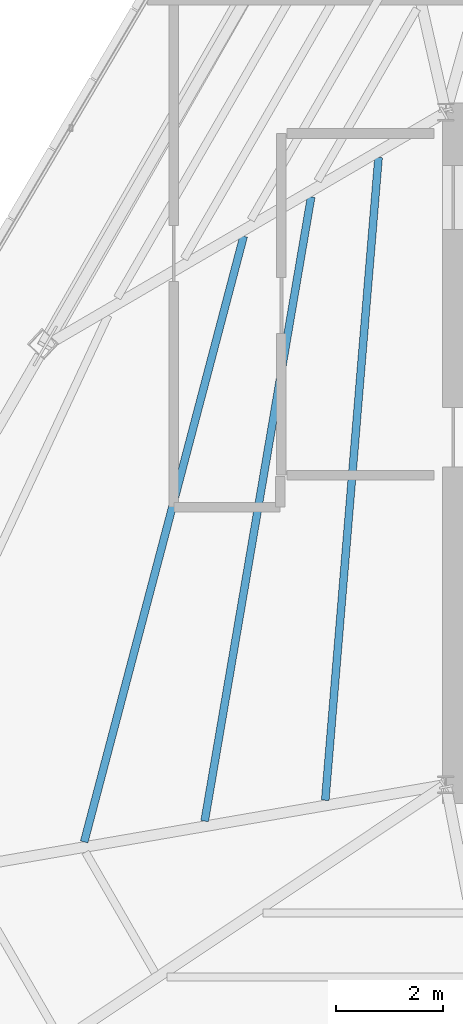
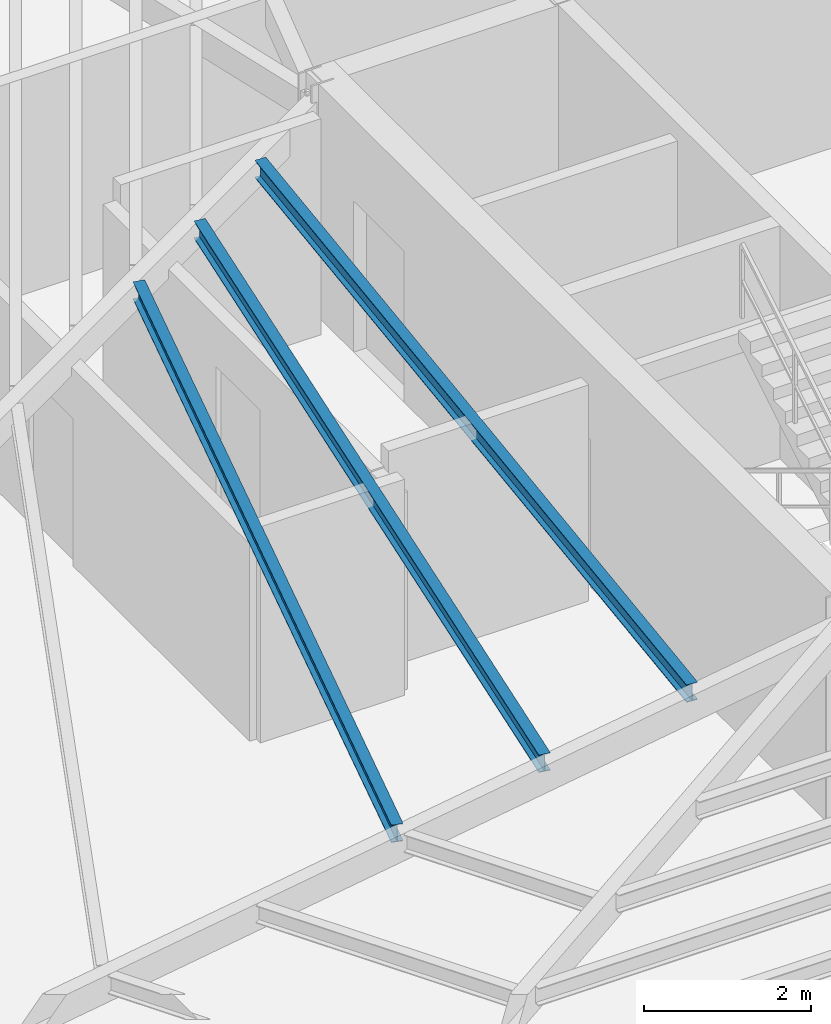
# One storey, part 10 of 44: 3 beams.
"""IFC4 building model written with IfcOpenShell, lengths in metres."""

from ifc_helpers import new_model, si_unit, direction, frame, origin, origin_2d, place, context, subcontext, project, spatial, i_section, extrude, source, transform, mapped, material, material_profile, profile_set, type_object, type_shapes, element, save


model = new_model("IFC4")

# Units and contexts
model_context = context("Model", 3, precision=1e-05, world=origin(), true_north=direction((0.0, 1.0)))
body_context = subcontext(model_context, "Body", "Model", "MODEL_VIEW")
ifc_project = project(units=[si_unit("LENGTHUNIT", "METRE"), si_unit("AREAUNIT", "SQUARE_METRE"), si_unit("VOLUMEUNIT", "CUBIC_METRE"), si_unit("PLANEANGLEUNIT", "RADIAN"), si_unit("MASSUNIT", "GRAM", prefix="KILO")], contexts=[model_context])

# Site, building, storey
site_placement = place(None, origin())
site = spatial("IfcSite", under=ifc_project, at=site_placement, CompositionType="ELEMENT")
building_placement = place(site_placement, origin())
building = spatial("IfcBuilding", under=site, at=building_placement, Name="Caelisora Broadcast Tower", CompositionType="ELEMENT")
storey_placement = place(building_placement, frame((0.0, 0.0, 296.60009765625)))
storey = spatial("IfcBuildingStorey", under=building, at=storey_placement, Name="L78", CompositionType="ELEMENT", Elevation=296.60009765625)

# Beams
ifc_material = material(Name="Steel Grade 350 (AS/NZS 3679.1)", Category="steel")
ifc_material_profile = material_profile(ifc_material, i_section(OverallWidth=0.14599609375, OverallDepth=0.256103515625, WebThickness=0.00634765625, FlangeThickness=0.010986328125, at=origin_2d()), Name="Steel Grade 350 (AS/NZS 3679.1)")
ifc_profile_set = profile_set([ifc_material_profile], Name="Steel Grade 350 (AS/NZS 3679.1)")
beam_type = type_object("IfcBeamType", Name="SB04", PredefinedType="JOIST", material=ifc_profile_set)
shared_shape_1 = source(origin(), body_context, "Body", "SweptSolid", [
    extrude(i_section(OverallWidth=0.14599609375, OverallDepth=0.256103515625, WebThickness=0.00634765625, FlangeThickness=0.010986328125, at=origin_2d()), origin(), (0.0, 0.0, 1.0), 12.08349609375),
])
beam_1_placement = place(storey_placement, frame((29.2392578125, 29.151123046875, 3.021728515625), z_axis=(-0.082635812121, -0.996579812436, 0.0), x_axis=(0.996579812436, -0.082635812121, 0.0)))
element("IfcBeam", 1, at=beam_1_placement, inside=storey, type_object=beam_type, Name="L78 beam SB04", PredefinedType="JOIST", context=body_context, shape_type="MappedRepresentation", body=[
    mapped(shared_shape_1, transform((0.0, 0.0, 0.0), scale=1.0)),
])
shared_shape_2 = source(origin(), body_context, "Body", "SweptSolid", [
    extrude(i_section(OverallWidth=0.14599609375, OverallDepth=0.256103515625, WebThickness=0.00634765625, FlangeThickness=0.010986328125, at=origin_2d()), origin(), (0.0, 0.0, 1.0), 11.86376953125),
])
beam_2_placement = place(storey_placement, frame((27.976806640625, 28.4140625, 3.021728515625), z_axis=(-0.168128689812, -0.985765055002, 0.0), x_axis=(0.985765055002, -0.168128689812, 0.0)))
element("IfcBeam", 2, at=beam_2_placement, inside=storey, type_object=beam_type, Name="L78 beam SB04", PredefinedType="JOIST", context=body_context, shape_type="MappedRepresentation", body=[
    mapped(shared_shape_2, transform((0.0, 0.0, 0.0), scale=1.0)),
])
shared_shape_3 = source(origin(), body_context, "Body", "SweptSolid", [
    extrude(i_section(OverallWidth=0.14599609375, OverallDepth=0.256103515625, WebThickness=0.00634765625, FlangeThickness=0.010986328125, at=origin_2d()), origin(), (0.0, 0.0, 1.0), 11.732666015625),
])
type_shapes(beam_type, [shared_shape_1, shared_shape_2, shared_shape_3])
beam_3_placement = place(storey_placement, frame((26.712158203125, 27.67578125, 3.021728515625), z_axis=(-0.25463464399, -0.967037330241, 0.0), x_axis=(0.967037330241, -0.25463464399, 0.0)))
element("IfcBeam", 3, at=beam_3_placement, inside=storey, type_object=beam_type, Name="L78 beam SB04", PredefinedType="JOIST", context=body_context, shape_type="MappedRepresentation", body=[
    mapped(shared_shape_3, transform((0.0, 0.0, 0.0), scale=1.0)),
])

save(model, "model.ifc")
